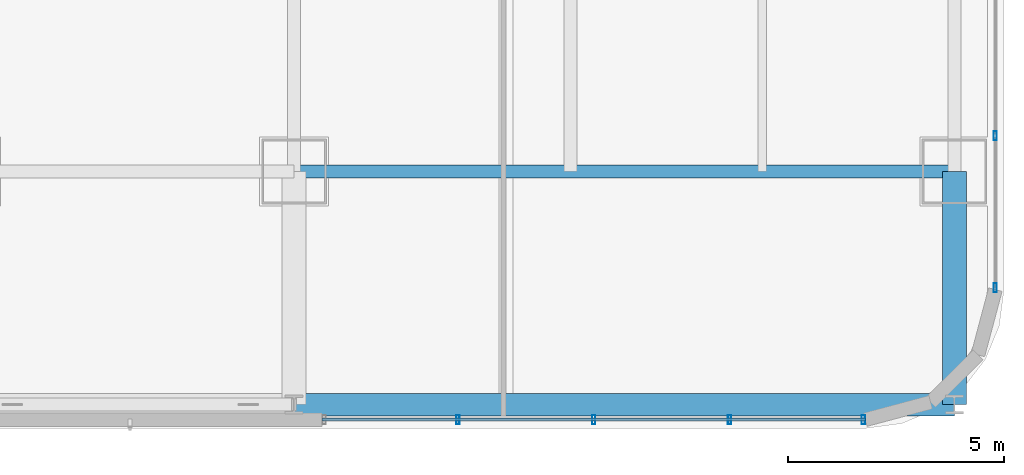
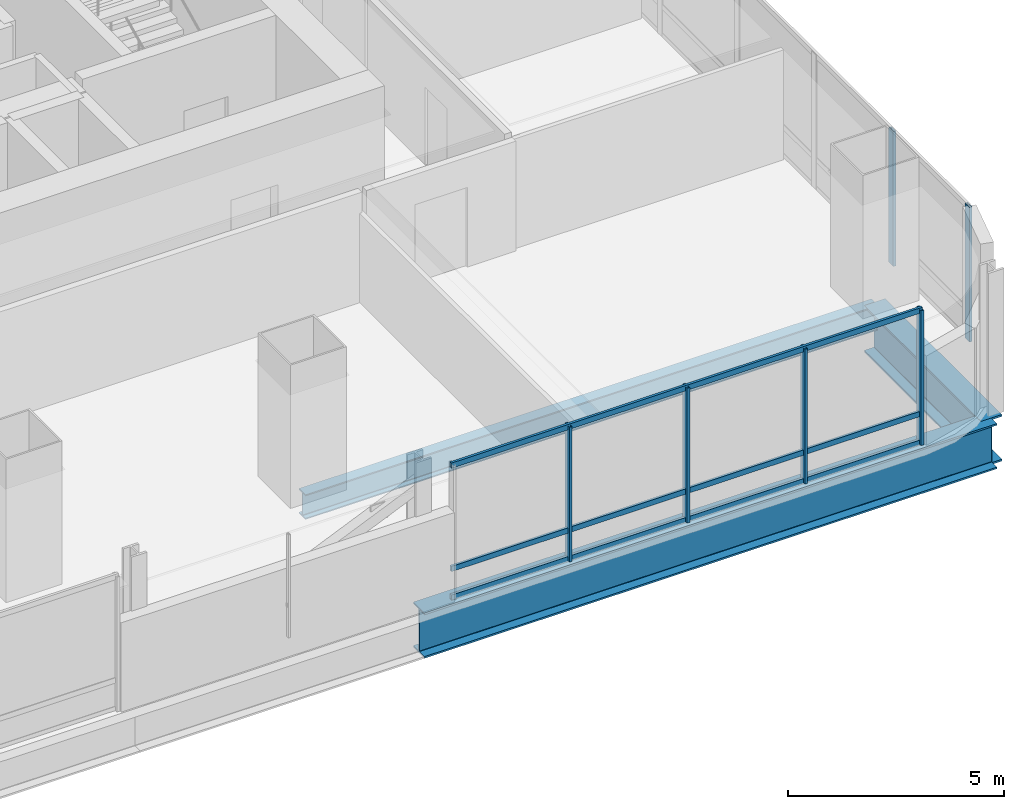
# One storey, part 12 of 37: 9 members, 3 beams, 2 elements without a shape of their own.
"""IFC4 building model written with IfcOpenShell, lengths in metres."""

from ifc_helpers import new_model, si_unit, direction, frame, origin, origin_2d, place, context, subcontext, project, spatial, hollow_rectangle, i_section, extrude, material, material_profile, profile_set, type_object, element, aggregate, save


model = new_model("IFC4")

# Units and contexts
model_context = context("Model", 3, precision=1e-05, world=origin(), true_north=direction((0.0, 1.0)))
body_context = subcontext(model_context, "Body", "Model", "MODEL_VIEW")
ifc_project = project(units=[si_unit("LENGTHUNIT", "METRE"), si_unit("AREAUNIT", "SQUARE_METRE"), si_unit("VOLUMEUNIT", "CUBIC_METRE"), si_unit("PLANEANGLEUNIT", "RADIAN"), si_unit("MASSUNIT", "GRAM", prefix="KILO")], contexts=[model_context])

# Site, building, storey
site_placement = place(None, origin())
site = spatial("IfcSite", under=ifc_project, at=site_placement, CompositionType="ELEMENT")
building_placement = place(site_placement, origin())
building = spatial("IfcBuilding", under=site, at=building_placement, Name="Punatoya Terracotta Tower", CompositionType="ELEMENT")
storey_placement = place(building_placement, frame((0.0, 0.0, 44.39990234375)))
storey = spatial("IfcBuildingStorey", under=building, at=storey_placement, Name="L09", CompositionType="ELEMENT", Elevation=44.39990234375)

# Beams
ifc_material_1 = material(Name="Steel S355", Category="steel")
ifc_material_profile_1 = material_profile(ifc_material_1, i_section(OverallWidth=0.300048828125, OverallDepth=0.699951171875, WebThickness=0.01708984375, FlangeThickness=0.031982421875, FilletRadius=0.01806640625, at=origin_2d()))
ifc_profile_set_1 = profile_set([ifc_material_profile_1], Name="Steel S355")
beam_type_1 = type_object("IfcBeamType", Name="BM-PRI-700", PredefinedType="BEAM", material=ifc_profile_set_1)
beam_1_placement = place(storey_placement, frame((3.800048828125, -17.5, -0.58984375), z_axis=(1.0, 0.0, 0.0), x_axis=(0.0, 1.0, 0.0)))
element("IfcBeam", 1, at=beam_1_placement, inside=storey, type_object=beam_type_1, Name="BM-L09-RG-S3", PredefinedType="BEAM", context=body_context, shape_type="SweptSolid", body=[
    extrude(i_section(OverallWidth=0.300048828125, OverallDepth=0.699951171875, WebThickness=0.01708984375, FlangeThickness=0.031982421875, FilletRadius=0.01806640625, at=origin_2d()), origin(), (0.0, 0.0, 1.0), 15.300048828125),
])
ifc_material_2 = material(Name="Steel S460", Category="steel")
ifc_material_profile_2 = material_profile(ifc_material_2, i_section(OverallWidth=0.56005859375, OverallDepth=1.320068359375, WebThickness=0.035888671875, FlangeThickness=0.054931640625, FilletRadius=0.01806640625, at=origin_2d()))
ifc_profile_set_2 = profile_set([ifc_material_profile_2], Name="Steel S460")
beam_type_2 = type_object("IfcBeamType", Name="BM-TG-BLK", PredefinedType="BEAM", material=ifc_profile_set_2)
beam_2_placement = place(storey_placement, frame((19.10009765625, -22.89990234375, -0.89990234375), z_axis=(0.0, 1.0, 0.0), x_axis=(-1.0, 0.0, 0.0)))
element("IfcBeam", 2, at=beam_2_placement, inside=storey, type_object=beam_type_2, Name="BM-L09-CANT-S4", PredefinedType="BEAM", context=body_context, shape_type="SweptSolid", body=[
    extrude(i_section(OverallWidth=0.56005859375, OverallDepth=1.320068359375, WebThickness=0.035888671875, FlangeThickness=0.054931640625, FilletRadius=0.01806640625, at=origin_2d()), origin(), (0.0, 0.0, 1.0), 5.39990234375),
])
ifc_material_profile_3 = material_profile(ifc_material_2, i_section(OverallWidth=0.52001953125, OverallDepth=1.280029296875, WebThickness=0.031982421875, FlangeThickness=0.050048828125, FilletRadius=0.01806640625, at=origin_2d()))
ifc_profile_set_3 = profile_set([ifc_material_profile_3], Name="Steel S460")
beam_type_3 = type_object("IfcBeamType", Name="BM-TG-NCK", PredefinedType="BEAM", material=ifc_profile_set_3)
beam_3_placement = place(storey_placement, frame((3.800048828125, -22.89990234375, -0.8798828125), z_axis=(1.0, 0.0, 0.0), x_axis=(0.0, 1.0, 0.0)))
element("IfcBeam", 3, at=beam_3_placement, inside=storey, type_object=beam_type_3, Name="BM-L09-PER-S3", PredefinedType="BEAM", context=body_context, shape_type="SweptSolid", body=[
    extrude(i_section(OverallWidth=0.52001953125, OverallDepth=1.280029296875, WebThickness=0.031982421875, FlangeThickness=0.050048828125, FilletRadius=0.01806640625, at=origin_2d()), origin(), (0.0, 0.0, 1.0), 15.300048828125),
])

# Curtain wall, members
ifc_material_3 = material(Name="Aluminium 6063-T6 + Double Low-E Glass", Category="aluminium")
curtain_wall_type = type_object("IfcCurtainWallType", Name="CW-M1", PredefinedType="NOTDEFINED", material=ifc_material_3)
curtain_wall_1_placement = place(storey_placement, origin())
curtain_wall_1 = element("IfcCurtainWall", 4, at=curtain_wall_1_placement, inside=storey, type_object=curtain_wall_type, Name="L09 Curtain Wall CW-L09-S01-2", PredefinedType="NOTDEFINED")
ifc_material_4 = material(Name="Aluminium 6063-T6", Category="aluminium")
ifc_material_profile_4 = material_profile(ifc_material_4, hollow_rectangle(XDim=0.074951171875, YDim=0.2099609375, WallThickness=0.00439453125, at=origin_2d()))
ifc_profile_set_4 = profile_set([ifc_material_profile_4], Name="Aluminium 6063-T6")
member_type_1 = type_object("IfcMemberType", Name="CW-MUL-M1", PredefinedType="MULLION", material=ifc_profile_set_4)
member_1_placement = place(storey_placement, frame((7.5966796875, -23.25, 0.0), z_axis=(0.0, 0.0, 1.0), x_axis=(1.0, 0.0, 0.0)))
member_1 = element("IfcMember", 5, at=member_1_placement, type_object=member_type_1, Name="CW-L09-S01-2 Mullion 01", PredefinedType="MULLION", context=body_context, shape_type="SweptSolid", body=[
    extrude(hollow_rectangle(XDim=0.074951171875, YDim=0.2099609375, WallThickness=0.00439453125, at=origin_2d()), origin(), (0.0, 0.0, 1.0), 3.81005859375),
])
member_2_placement = place(storey_placement, frame((10.743408203125, -23.25, 0.0), z_axis=(0.0, 0.0, 1.0), x_axis=(1.0, 0.0, 0.0)))
member_2 = element("IfcMember", 6, at=member_2_placement, type_object=member_type_1, Name="CW-L09-S01-2 Mullion 02", PredefinedType="MULLION", context=body_context, shape_type="SweptSolid", body=[
    extrude(hollow_rectangle(XDim=0.074951171875, YDim=0.2099609375, WallThickness=0.00439453125, at=origin_2d()), origin(), (0.0, 0.0, 1.0), 3.81005859375),
])
member_3_placement = place(storey_placement, frame((13.89013671875, -23.25, 0.0), z_axis=(0.0, 0.0, 1.0), x_axis=(1.0, 0.0, 0.0)))
member_3 = element("IfcMember", 7, at=member_3_placement, type_object=member_type_1, Name="CW-L09-S01-2 Mullion 03", PredefinedType="MULLION", context=body_context, shape_type="SweptSolid", body=[
    extrude(hollow_rectangle(XDim=0.074951171875, YDim=0.2099609375, WallThickness=0.00439453125, at=origin_2d()), origin(), (0.0, 0.0, 1.0), 3.81005859375),
])
member_4_placement = place(storey_placement, frame((16.991943359375, -23.25, 0.0), z_axis=(0.0, 0.0, 1.0), x_axis=(1.0, 0.0, 0.0)))
member_4 = element("IfcMember", 8, at=member_4_placement, type_object=member_type_1, Name="CW-L09-S01-2 Mullion 04", PredefinedType="MULLION", context=body_context, shape_type="SweptSolid", body=[
    extrude(hollow_rectangle(XDim=0.074951171875, YDim=0.2099609375, WallThickness=0.00439453125, at=origin_2d()), origin(), (0.0, 0.0, 1.0), 3.81005859375),
])

curtain_wall_2_placement = place(storey_placement, origin())
curtain_wall_2 = element("IfcCurtainWall", 9, at=curtain_wall_2_placement, inside=storey, type_object=curtain_wall_type, Name="L09 Curtain Wall CW-L09-E05-1", PredefinedType="NOTDEFINED")
member_5_placement = place(storey_placement, frame((20.050048828125, -20.19189453125, 0.0), z_axis=(0.0, 0.0, 1.0), x_axis=(1.0, 0.0, 0.0)))
member_5 = element("IfcMember", 10, at=member_5_placement, type_object=member_type_1, Name="CW-L09-E05-1 Mullion 00", PredefinedType="MULLION", context=body_context, shape_type="SweptSolid", body=[
    extrude(hollow_rectangle(XDim=0.074951171875, YDim=0.2099609375, WallThickness=0.00439453125, at=origin_2d()), origin(), (0.0, 0.0, 1.0), 3.81005859375),
])
member_6_placement = place(storey_placement, frame((20.050048828125, -16.66943359375, 0.0), z_axis=(0.0, 0.0, 1.0), x_axis=(1.0, 0.0, 0.0)))
member_6 = element("IfcMember", 11, at=member_6_placement, type_object=member_type_1, Name="CW-L09-E05-1 Mullion 01", PredefinedType="MULLION", context=body_context, shape_type="SweptSolid", body=[
    extrude(hollow_rectangle(XDim=0.074951171875, YDim=0.2099609375, WallThickness=0.00439453125, at=origin_2d()), origin(), (0.0, 0.0, 1.0), 3.81005859375),
])
aggregate(curtain_wall_2, [member_5, member_6])

# Member
ifc_material_profile_5 = material_profile(ifc_material_4, hollow_rectangle(XDim=0.068115234375, YDim=0.14990234375, WallThickness=0.00390625, at=origin_2d()))
ifc_profile_set_5 = profile_set([ifc_material_profile_5], Name="Aluminium 6063-T6")
member_type_2 = type_object("IfcMemberType", Name="CW-TRN-TYP", PredefinedType="USERDEFINED", material=ifc_profile_set_5)
member_7_placement = place(storey_placement, frame((4.449951171875, -23.25, 0.0400390625), z_axis=(1.0, 0.0, 0.0), x_axis=(0.0, 1.0, 0.0)))
member_7 = element("IfcMember", 12, at=member_7_placement, type_object=member_type_2, Name="CW-L09-S01-2 Transom 1", ObjectType="TRANSOM", PredefinedType="USERDEFINED", context=body_context, shape_type="SweptSolid", body=[
    extrude(hollow_rectangle(XDim=0.068115234375, YDim=0.14990234375, WallThickness=0.00390625, at=origin_2d()), origin(), (0.0, 0.0, 1.0), 12.5869140625),
])

member_8_placement = place(storey_placement, frame((4.449951171875, -23.25, 0.85009765625), z_axis=(1.0, 0.0, 0.0), x_axis=(0.0, 1.0, 0.0)))
member_8 = element("IfcMember", 13, at=member_8_placement, type_object=member_type_2, Name="CW-L09-S01-2 Transom 2", ObjectType="TRANSOM", PredefinedType="USERDEFINED", context=body_context, shape_type="SweptSolid", body=[
    extrude(hollow_rectangle(XDim=0.068115234375, YDim=0.14990234375, WallThickness=0.00390625, at=origin_2d()), origin(), (0.0, 0.0, 1.0), 12.5869140625),
])

member_9_placement = place(storey_placement, frame((4.449951171875, -23.25, 3.77001953125), z_axis=(1.0, 0.0, 0.0), x_axis=(0.0, 1.0, 0.0)))
member_9 = element("IfcMember", 14, at=member_9_placement, type_object=member_type_2, Name="CW-L09-S01-2 Transom 3", ObjectType="TRANSOM", PredefinedType="USERDEFINED", context=body_context, shape_type="SweptSolid", body=[
    extrude(hollow_rectangle(XDim=0.068115234375, YDim=0.14990234375, WallThickness=0.00390625, at=origin_2d()), origin(), (0.0, 0.0, 1.0), 12.5869140625),
])

aggregate(curtain_wall_1, [member_1, member_2, member_3, member_4, member_7, member_8, member_9])

save(model, "model.ifc")
